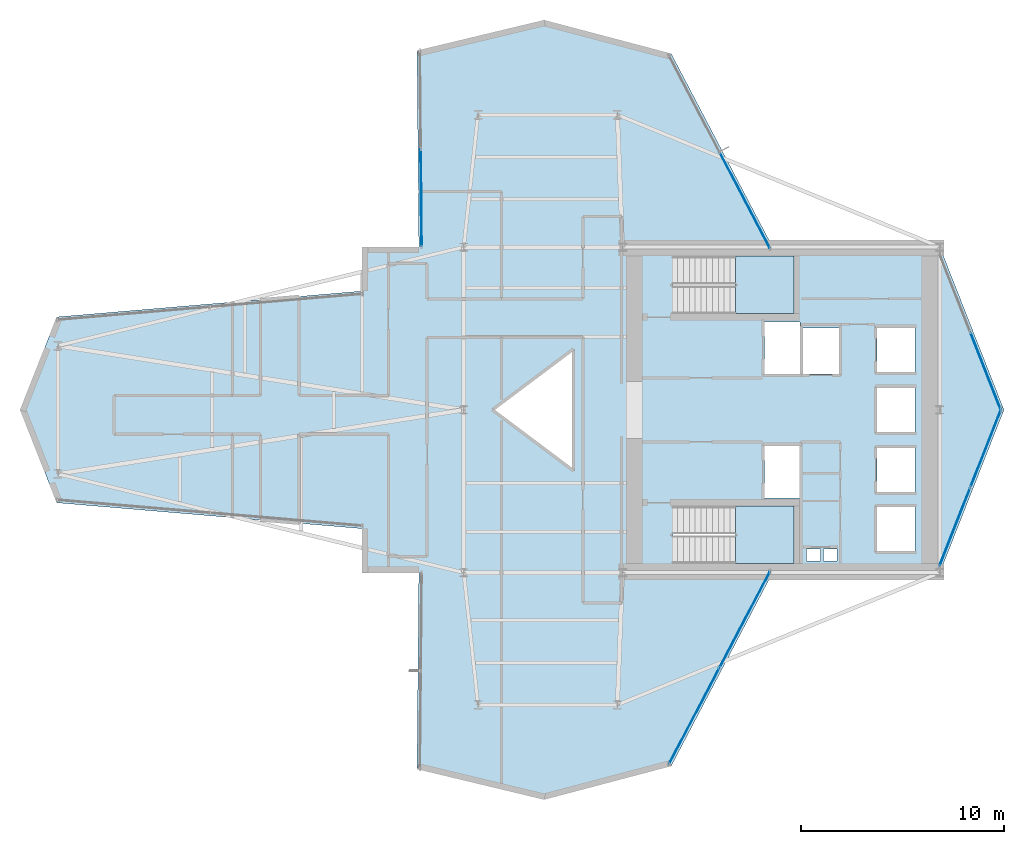
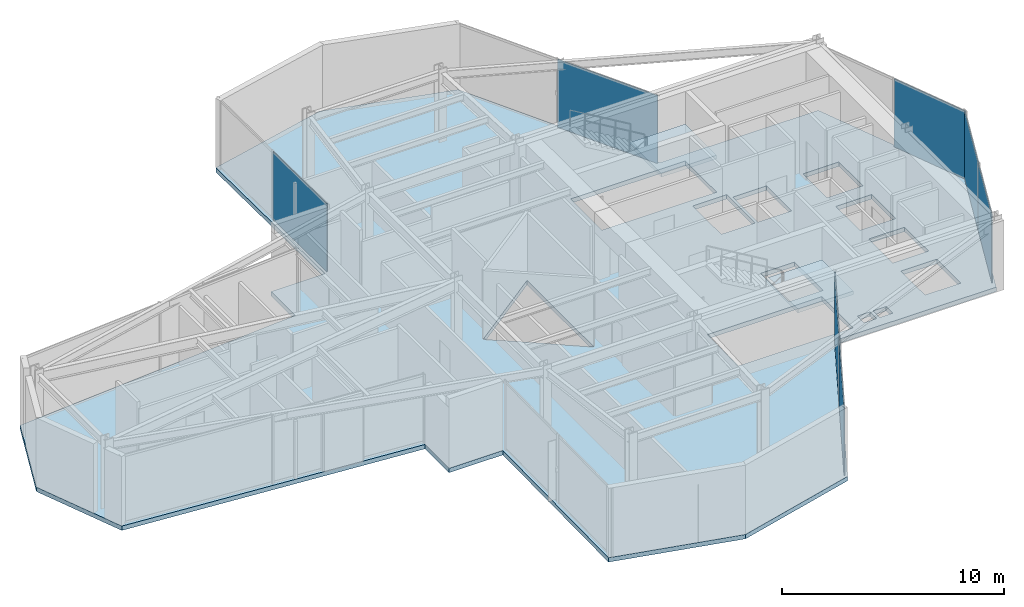
# One storey, part 20 of 25: 7 plates, 3 slabs, 7 elements without a shape of their own.
"""IFC4 building model written with IfcOpenShell, lengths in metres."""

from ifc_helpers import new_model, si_unit, direction, frame, origin, origin_2d, place, context, subcontext, project, spatial, polyline, rectangle, outline, extrude, material, layer, layer_set, type_object, element, aggregate, save


model = new_model("IFC4")

# Units and contexts
model_context = context("Model", 3, precision=1e-05, world=origin(), true_north=direction((0.0, 1.0)))
body_context = subcontext(model_context, "Body", "Model", "MODEL_VIEW")
ifc_project = project(units=[si_unit("LENGTHUNIT", "METRE"), si_unit("AREAUNIT", "SQUARE_METRE"), si_unit("VOLUMEUNIT", "CUBIC_METRE"), si_unit("PLANEANGLEUNIT", "RADIAN"), si_unit("MASSUNIT", "GRAM", prefix="KILO")], contexts=[model_context])

# Site, building, storey
site_placement = place(None, origin())
site = spatial("IfcSite", under=ifc_project, at=site_placement, CompositionType="ELEMENT")
building_placement = place(site_placement, origin())
building = spatial("IfcBuilding", under=site, at=building_placement, Name="Veymaron Broadcast Tower", CompositionType="ELEMENT")
storey_placement = place(building_placement, frame((0.0, 0.0, 141.14990234375)))
storey = spatial("IfcBuildingStorey", under=building, at=storey_placement, Name="L32", CompositionType="ELEMENT", Elevation=141.14990234375)

# Curtain wall, plates
ifc_material_1 = material(Name="Anodised aluminium AA 6063-T6 and laminated low-E dark glass", Category="aluminium")
ifc_layer_1 = layer(ifc_material_1, 0.179931640625)
ifc_layer_set_1 = layer_set([ifc_layer_1], Name="Anodised aluminium AA 6063-T6 and laminated low-E dark glass")
curtain_wall_type = type_object("IfcCurtainWallType", Name="CW-SYS-03", PredefinedType="NOTDEFINED", material=ifc_layer_set_1)
curtain_wall_1_placement = place(storey_placement, origin())
curtain_wall_1 = element("IfcCurtainWall", 1, at=curtain_wall_1_placement, inside=storey, type_object=curtain_wall_type, Name="L32 dark-glass curtain wall CW-L32-E2-1", PredefinedType="NOTDEFINED")
ifc_material_2 = material(Name="Insulated dark-anodised aluminium spandrel panel 40 mm", Category="aluminium")
ifc_layer_2 = layer(ifc_material_2, 0.0400390625)
ifc_layer_set_2 = layer_set([ifc_layer_2], Name="Insulated dark-anodised aluminium spandrel panel 40 mm")
plate_type = type_object("IfcPlateType", Name="CW-PNL-03", PredefinedType="CURTAIN_PANEL", material=ifc_layer_set_2)
plate_1_placement = place(storey_placement, frame((55.331787109375, 18.240478515625, 0.0400390625), z_axis=(0.0, 0.0, 1.0), x_axis=(0.366371312352, 0.930468732137, 0.0)))
plate_1 = element("IfcPlate", 2, at=plate_1_placement, type_object=plate_type, Name="CW-L32-E2-1 unitised curtain panel 0", PredefinedType="CURTAIN_PANEL", context=body_context, shape_type="SweptSolid", body=[
    extrude(rectangle(XDim=4.103515625, YDim=0.0400390625, at=origin_2d()), origin(), (0.0, 0.0, 1.0), 3.72998046875),
])
plate_2_placement = place(storey_placement, frame((56.85693359375, 22.1142578125, 0.0400390625), z_axis=(0.0, 0.0, 1.0), x_axis=(0.366371312352, 0.930468732137, 0.0)))
plate_2 = element("IfcPlate", 3, at=plate_2_placement, type_object=plate_type, Name="CW-L32-E2-1 unitised curtain panel 1", PredefinedType="CURTAIN_PANEL", context=body_context, shape_type="SweptSolid", body=[
    extrude(rectangle(XDim=4.103515625, YDim=0.0400390625, at=origin_2d()), origin(), (0.0, 0.0, 1.0), 3.72998046875),
])
aggregate(curtain_wall_1, [plate_1, plate_2])

# Curtain wall, plate
curtain_wall_2_placement = place(storey_placement, origin())
curtain_wall_2 = element("IfcCurtainWall", 4, at=curtain_wall_2_placement, inside=storey, type_object=curtain_wall_type, Name="L32 dark-glass curtain wall CW-L32-E3-1", PredefinedType="NOTDEFINED")
plate_3_placement = place(storey_placement, frame((56.85693359375, 25.8857421875, 0.0400390625), z_axis=(0.0, 0.0, 1.0), x_axis=(-0.366371312352, 0.930468732137, 0.0)))
plate_3 = element("IfcPlate", 5, at=plate_3_placement, type_object=plate_type, Name="CW-L32-E3-1 unitised curtain panel 0", PredefinedType="CURTAIN_PANEL", context=body_context, shape_type="SweptSolid", body=[
    extrude(rectangle(XDim=4.103515625, YDim=0.0400390625, at=origin_2d()), origin(), (0.0, 0.0, 1.0), 3.72998046875),
])
aggregate(curtain_wall_2, [plate_3])

curtain_wall_3_placement = place(storey_placement, origin())
curtain_wall_3 = element("IfcCurtainWall", 6, at=curtain_wall_3_placement, inside=storey, type_object=curtain_wall_type, Name="L32 dark-glass curtain wall CW-L32-E5-1", PredefinedType="NOTDEFINED")
plate_4_placement = place(storey_placement, frame((45.0107421875, 34.31005859375, 0.0400390625), z_axis=(0.0, 0.0, 1.0), x_axis=(-0.46447113214, 0.885588260654, 0.0)))
plate_4 = element("IfcPlate", 7, at=plate_4_placement, type_object=plate_type, Name="CW-L32-E5-1 unitised curtain panel 0", PredefinedType="CURTAIN_PANEL", context=body_context, shape_type="SweptSolid", body=[
    extrude(rectangle(XDim=5.3037109375, YDim=0.0400390625, at=origin_2d()), origin(), (0.0, 0.0, 1.0), 3.72998046875),
])
aggregate(curtain_wall_3, [plate_4])

curtain_wall_4_placement = place(storey_placement, origin())
curtain_wall_4 = element("IfcCurtainWall", 8, at=curtain_wall_4_placement, inside=storey, type_object=curtain_wall_type, Name="L32 dark-glass curtain wall CW-L32-E8-1", PredefinedType="NOTDEFINED")
plate_5_placement = place(storey_placement, frame((29.10986328125, 34.413818359375, 0.0400390625), z_axis=(0.0, 0.0, 1.0), x_axis=(0.009354828341, -0.999956242636, 0.0)))
plate_5 = element("IfcPlate", 9, at=plate_5_placement, type_object=plate_type, Name="CW-L32-E8-1 unitised curtain panel 1", PredefinedType="CURTAIN_PANEL", context=body_context, shape_type="SweptSolid", body=[
    extrude(rectangle(XDim=4.76513671875, YDim=0.0400390625, at=origin_2d()), origin(), (0.0, 0.0, 1.0), 3.72998046875),
])
aggregate(curtain_wall_4, [plate_5])

# Curtain wall, plates
curtain_wall_5_placement = place(storey_placement, origin())
curtain_wall_5 = element("IfcCurtainWall", 10, at=curtain_wall_5_placement, inside=storey, type_object=curtain_wall_type, Name="L32 dark-glass curtain wall CW-L32-E20-1", PredefinedType="NOTDEFINED")
plate_6_placement = place(storey_placement, frame((42.519287109375, 8.93994140625, 0.0400390625), z_axis=(0.0, 0.0, 1.0), x_axis=(0.46447113214, 0.885588260654, 0.0)))
plate_6 = element("IfcPlate", 11, at=plate_6_placement, type_object=plate_type, Name="CW-L32-E20-1 unitised curtain panel 0", PredefinedType="CURTAIN_PANEL", context=body_context, shape_type="SweptSolid", body=[
    extrude(rectangle(XDim=5.3037109375, YDim=0.0400390625, at=origin_2d()), origin(), (0.0, 0.0, 1.0), 3.72998046875),
])
plate_7_placement = place(storey_placement, frame((45.0107421875, 13.68994140625, 0.0400390625), z_axis=(0.0, 0.0, 1.0), x_axis=(0.46447113214, 0.885588260654, 0.0)))
plate_7 = element("IfcPlate", 12, at=plate_7_placement, type_object=plate_type, Name="CW-L32-E20-1 unitised curtain panel 1", PredefinedType="CURTAIN_PANEL", context=body_context, shape_type="SweptSolid", body=[
    extrude(rectangle(XDim=5.3037109375, YDim=0.0400390625, at=origin_2d()), origin(), (0.0, 0.0, 1.0), 3.72998046875),
])
aggregate(curtain_wall_5, [plate_6, plate_7])

# Slab
ifc_material_3 = material(Name="Concrete C40/50", Category="concrete")
ifc_layer_3 = layer(ifc_material_3, 0.239990234375)
ifc_layer_set_3 = layer_set([ifc_layer_3], Name="Concrete C40/50")
slab_type_1 = type_object("IfcSlabType", Name="SLAB-FS6", PredefinedType="FLOOR", material=ifc_layer_set_3)
slab_1_placement = place(storey_placement, frame((0.0, 0.0, -0.239990234375)))
element("IfcSlab", 13, at=slab_1_placement, inside=storey, type_object=slab_type_1, Name="L32 structural floor slab", PredefinedType="FLOOR", context=body_context, shape_type="SweptSolid", body=[
    extrude(outline(polyline([(46.38037109375, 16.0), (54.60009765625, 16.0), (57.75, 24.0), (54.60009765625, 32.0), (46.38037109375, 32.0), (41.397705078125, 41.5), (35.14990234375, 43.14990234375), (28.902099609375, 41.64990234375), (28.992431640625, 32.0), (26.199951171875, 32.0), (26.199951171875, 29.837890625), (11.199951171875, 28.565673828125), (9.39990234375, 24.0), (11.199951171875, 19.434326171875), (26.199951171875, 18.162109375), (26.199951171875, 16.0), (28.992431640625, 16.0), (28.902099609375, 6.35009765625), (35.14990234375, 4.85009765625), (41.397705078125, 6.5), (46.38037109375, 16.0)]), holes=[polyline([(45.969970703125, 28.330078125), (47.72998046875, 28.330078125), (47.72998046875, 25.77001953125), (45.969970703125, 25.77001953125), (45.969970703125, 28.330078125)]), polyline([(45.969970703125, 22.22998046875), (47.72998046875, 22.22998046875), (47.72998046875, 19.669921875), (45.969970703125, 19.669921875), (45.969970703125, 22.22998046875)]), polyline([(47.8701171875, 28.030029296875), (49.6298828125, 28.030029296875), (49.6298828125, 25.77001953125), (47.8701171875, 25.77001953125), (47.8701171875, 28.030029296875)]), polyline([(51.52001953125, 28.030029296875), (53.3798828125, 28.030029296875), (53.3798828125, 25.8701171875), (51.52001953125, 25.8701171875), (51.52001953125, 28.030029296875)]), polyline([(51.52001953125, 22.1298828125), (53.3798828125, 22.1298828125), (53.3798828125, 19.969970703125), (51.52001953125, 19.969970703125), (51.52001953125, 22.1298828125)]), polyline([(51.52001953125, 25.080078125), (53.3798828125, 25.080078125), (53.3798828125, 22.919921875), (51.52001953125, 22.919921875), (51.52001953125, 25.080078125)]), polyline([(51.52001953125, 19.22998046875), (53.3798828125, 19.22998046875), (53.3798828125, 17.070068359375), (51.52001953125, 17.070068359375), (51.52001953125, 19.22998046875)]), polyline([(48.050048828125, 17.159912109375), (48.719970703125, 17.159912109375), (48.719970703125, 16.56005859375), (48.050048828125, 16.56005859375), (48.050048828125, 17.159912109375)]), polyline([(48.8798828125, 17.159912109375), (49.550048828125, 17.159912109375), (49.550048828125, 16.56005859375), (48.8798828125, 16.56005859375), (48.8798828125, 17.159912109375)]), polyline([(36.60009765625, 27.0), (36.60009765625, 21.0), (32.60009765625, 24.0), (36.60009765625, 27.0)]), polyline([(41.489990234375, 31.550048828125), (47.43994140625, 31.550048828125), (47.43994140625, 28.72998046875), (41.489990234375, 28.72998046875), (41.489990234375, 31.550048828125)]), polyline([(41.489990234375, 19.27001953125), (47.43994140625, 19.27001953125), (47.43994140625, 16.449951171875), (41.489990234375, 16.449951171875), (41.489990234375, 19.27001953125)])]), origin(), (0.0, 0.0, 1.0), 0.239990234375),
])

# Stair, slab
ifc_material_4 = material(Name="Concrete C50/60", Category="concrete")
stair_type_1 = type_object("IfcStairType", Name="STAIR-CORE-1", PredefinedType="HALF_TURN_STAIR", material=ifc_material_4)
stair_1_placement = place(storey_placement, origin())
stair_1 = element("IfcStair", 14, at=stair_1_placement, inside=storey, type_object=stair_type_1, Name="L32 North protected dog-leg exit stair ST1", PredefinedType="HALF_TURN_STAIR")
ifc_layer_4 = layer(ifc_material_4, 0.199951171875)
ifc_layer_set_4 = layer_set([ifc_layer_4], Name="Concrete C50/60")
slab_type_2 = type_object("IfcSlabType", Name="SLAB-STAIR-LDG", PredefinedType="LANDING", material=ifc_layer_set_4)
slab_2_placement = place(storey_placement, frame((0.0, 0.0, 1.8251953125)))
slab_2 = element("IfcSlab", 15, at=slab_2_placement, type_object=slab_type_2, Name="ST1 landing 1", PredefinedType="LANDING", context=body_context, shape_type="SweptSolid", body=[
    extrude(outline(polyline([(44.56494140625, 28.72998046875), (47.43994140625, 28.72998046875), (47.43994140625, 31.550048828125), (44.56494140625, 31.550048828125), (44.56494140625, 28.72998046875)])), origin(), (0.0, 0.0, 1.0), 0.199951171875),
])
aggregate(stair_1, [slab_2])

stair_type_2 = type_object("IfcStairType", Name="STAIR-CORE-2", PredefinedType="HALF_TURN_STAIR", material=ifc_material_4)
stair_2_placement = place(storey_placement, origin())
stair_2 = element("IfcStair", 16, at=stair_2_placement, inside=storey, type_object=stair_type_2, Name="L32 South protected dog-leg exit stair ST2", PredefinedType="HALF_TURN_STAIR")
slab_3_placement = place(storey_placement, frame((0.0, 0.0, 1.8251953125)))
slab_3 = element("IfcSlab", 17, at=slab_3_placement, type_object=slab_type_2, Name="ST2 landing 1", PredefinedType="LANDING", context=body_context, shape_type="SweptSolid", body=[
    extrude(outline(polyline([(44.56494140625, 16.449951171875), (47.43994140625, 16.449951171875), (47.43994140625, 19.27001953125), (44.56494140625, 19.27001953125), (44.56494140625, 16.449951171875)])), origin(), (0.0, 0.0, 1.0), 0.199951171875),
])
aggregate(stair_2, [slab_3])

save(model, "model.ifc")
